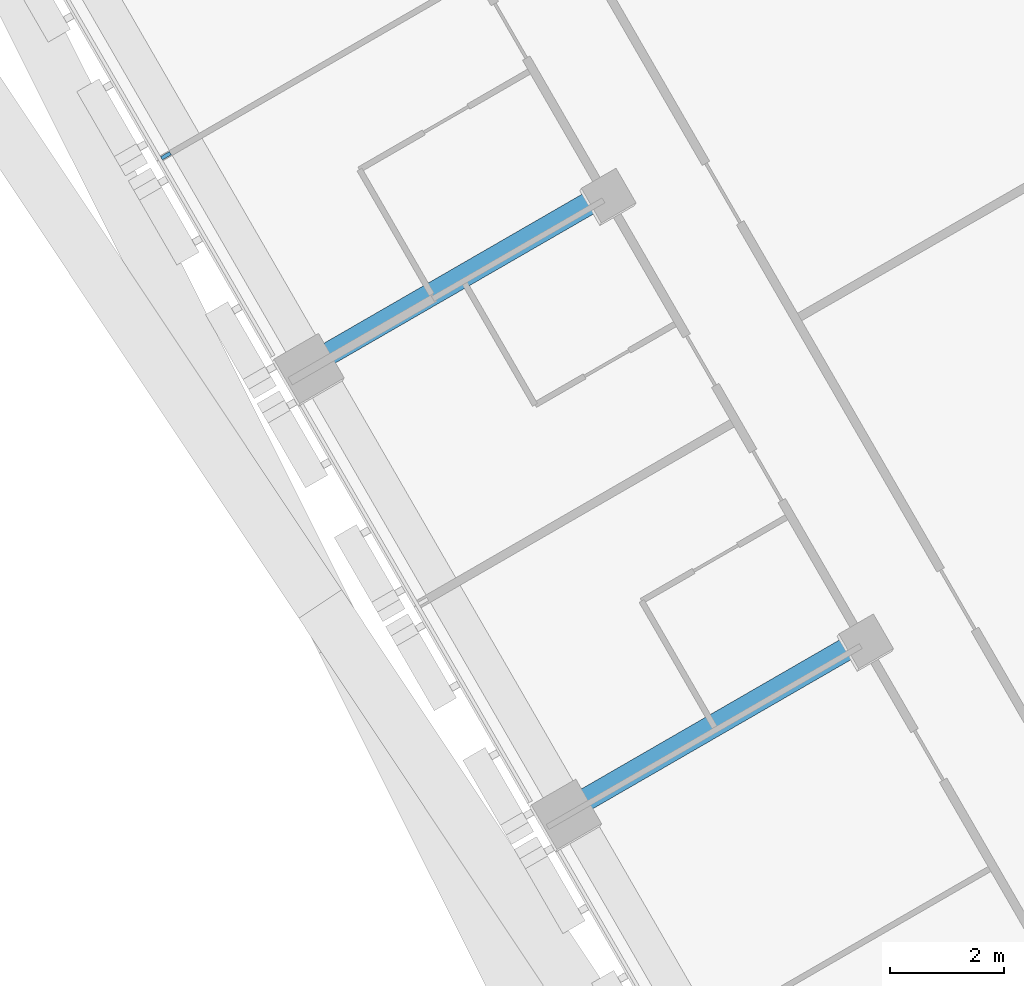
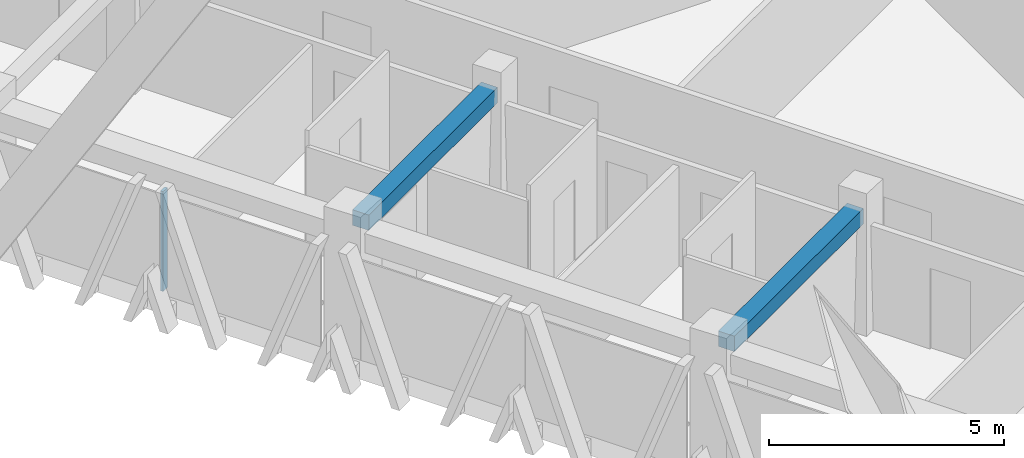
# One storey, part 6 of 24: 2 beams, 1 member, 1 element without a shape of its own.
"""IFC4 building model written with IfcOpenShell, lengths in metres."""

from ifc_helpers import new_model, si_unit, direction, frame, origin, origin_2d, place, context, subcontext, project, spatial, rectangle, extrude, material, layer, layer_set, material_profile, profile_set, type_object, element, aggregate, save


model = new_model("IFC4")

# Units and contexts
model_context = context("Model", 3, precision=1e-05, world=origin(), true_north=direction((0.0, 1.0)))
body_context = subcontext(model_context, "Body", "Model", "MODEL_VIEW")
ifc_project = project(units=[si_unit("LENGTHUNIT", "METRE"), si_unit("AREAUNIT", "SQUARE_METRE"), si_unit("VOLUMEUNIT", "CUBIC_METRE"), si_unit("PLANEANGLEUNIT", "RADIAN"), si_unit("MASSUNIT", "GRAM", prefix="KILO")], contexts=[model_context])

# Site, building, storey
site_placement = place(None, origin())
site = spatial("IfcSite", under=ifc_project, at=site_placement, CompositionType="ELEMENT")
building_placement = place(site_placement, origin())
building = spatial("IfcBuilding", under=site, at=building_placement, Name="Altiplano Prism Tower", CompositionType="ELEMENT")
storey_placement = place(building_placement, frame((0.0, 0.0, 27.0)))
storey = spatial("IfcBuildingStorey", under=building, at=storey_placement, Name="L05", CompositionType="ELEMENT", Elevation=27.0)

# Curtain wall, member
ifc_material_1 = material(Name="Aluminium and glass", Category="aluminium")
ifc_layer = layer(ifc_material_1, 0.280029296875)
ifc_layer_set = layer_set([ifc_layer], Name="Aluminium and glass")
curtain_wall_type = type_object("IfcCurtainWallType", Name="CW1 typical co-living unitised curtain wall", PredefinedType="NOTDEFINED", material=ifc_layer_set)
curtain_wall_placement = place(storey_placement, origin())
curtain_wall = element("IfcCurtainWall", 1, at=curtain_wall_placement, inside=storey, type_object=curtain_wall_type, Name="CW1 curtain wall south-west face L05", PredefinedType="NOTDEFINED")
ifc_material_2 = material(Name="Aluminium", Category="aluminium")
ifc_material_profile_1 = material_profile(ifc_material_2, rectangle(XDim=0.179931640625, YDim=0.06494140625, at=origin_2d()), Name="CW1 mullion 65 x 180")
ifc_profile_set_1 = profile_set([ifc_material_profile_1], Name="Aluminium")
member_type = type_object("IfcMemberType", Name="CW1 mullion 65 x 180", PredefinedType="MULLION", material=ifc_profile_set_1)
member_placement = place(storey_placement, frame((62.47802734375, 81.38916015625, 0.0), z_axis=(0.0, 0.0, 1.0), x_axis=(0.866025403802, 0.49999999997, 0.0)))
member = element("IfcMember", 2, at=member_placement, type_object=member_type, Name="CW1 mullion", PredefinedType="MULLION", context=body_context, shape_type="SweptSolid", body=[
    extrude(rectangle(XDim=0.179931640625, YDim=0.06494140625, at=origin_2d()), origin(), (0.0, 0.0, 1.0), 2.60009765625),
])
aggregate(curtain_wall, [member])

# Beams
ifc_material_3 = material(Name="Concrete C60/75", Category="concrete")
ifc_material_profile_2 = material_profile(ifc_material_3, rectangle(XDim=0.39990234375, YDim=0.39990234375, at=origin_2d()), Name="Tie beam 400x400")
ifc_profile_set_2 = profile_set([ifc_material_profile_2], Name="Concrete C60/75")
beam_type = type_object("IfcBeamType", Name="Tie beam 400x400", PredefinedType="BEAM", material=ifc_profile_set_2)
beam_1_placement = place(storey_placement, frame((70.073486328125, 80.670654296875, 2.89990234375), z_axis=(-0.866042665983, -0.499970099802, 0.0), x_axis=(0.499970099802, -0.866042665983, 0.0)))
element("IfcBeam", 3, at=beam_1_placement, inside=storey, type_object=beam_type, Name="Tie beam I12 L06", PredefinedType="BEAM", context=body_context, shape_type="SweptSolid", body=[
    extrude(rectangle(XDim=0.39990234375, YDim=0.39990234375, at=origin_2d()), origin(), (0.0, 0.0, 1.0), 5.489990234375),
])
beam_2_placement = place(storey_placement, frame((74.573486328125, 72.87646484375, 2.89990234375), z_axis=(-0.866023410697, -0.500003452112, 0.0), x_axis=(0.500003452112, -0.866023410697, 0.0)))
element("IfcBeam", 4, at=beam_2_placement, inside=storey, type_object=beam_type, Name="Tie beam I13 L06", PredefinedType="BEAM", context=body_context, shape_type="SweptSolid", body=[
    extrude(rectangle(XDim=0.39990234375, YDim=0.39990234375, at=origin_2d()), origin(), (0.0, 0.0, 1.0), 5.490234375),
])

save(model, "model.ifc")
